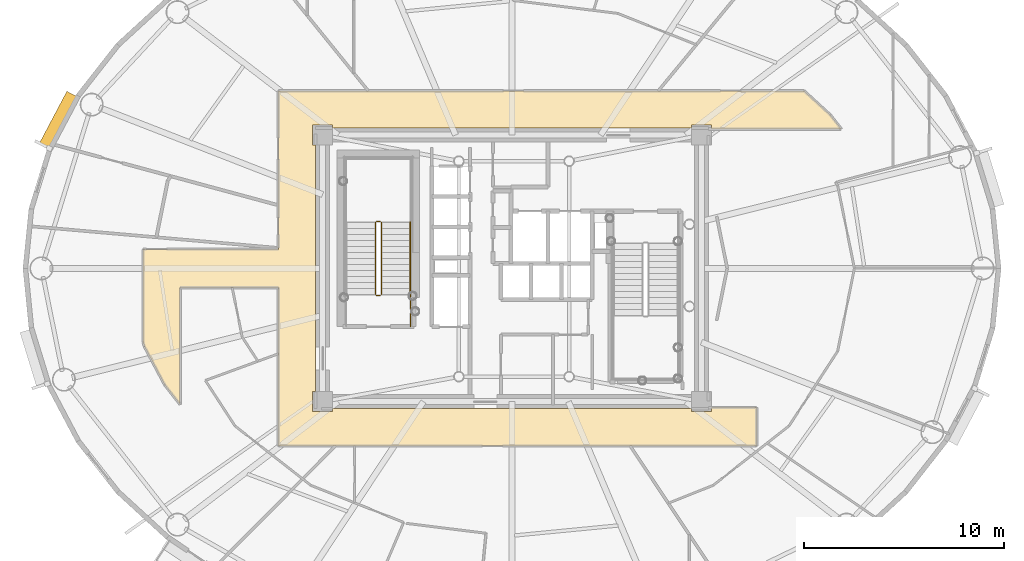
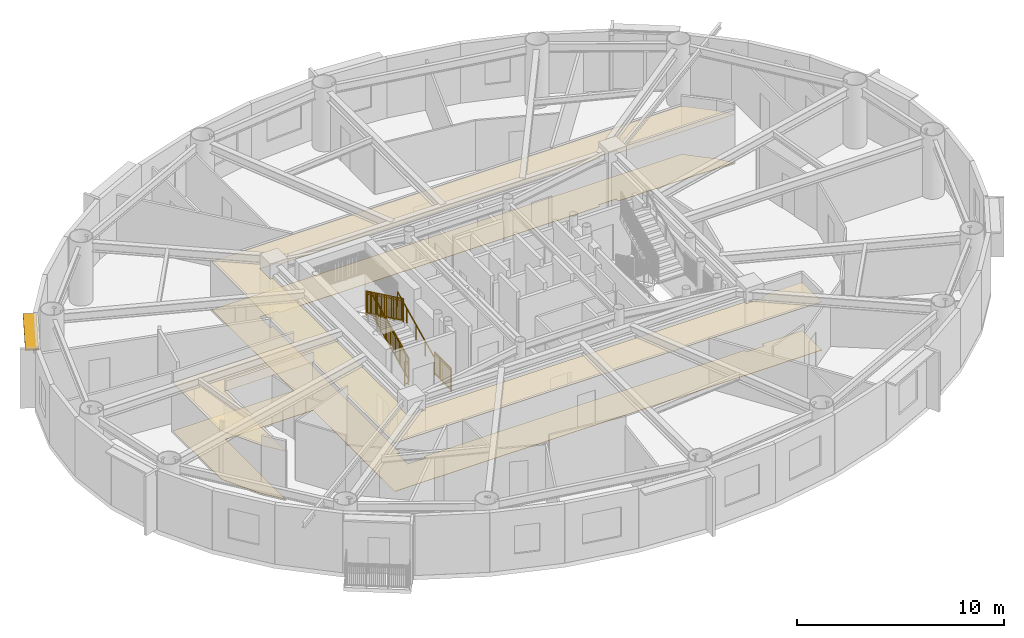
# One storey, part 14 of 18: 6 railings, 2 coverings, 1 shading device.
"""IFC4 building model written with IfcOpenShell, lengths in metres."""

import ifcopenshell
import ifcopenshell.guid

model = None  # the IFC model being written
_history = None  # IfcOwnerHistory: only IFC2X3 demands one
_inside = {}  # id of a spatial element -> (the spatial element, [elements in it])
_under = {}  # id of a project, library or spatial element -> (it, [spatial elements below it])
_declared = {}  # id of a project -> (the project, [libraries it declares])
_typed = {}  # id of a type object -> (the type object, [elements of that type])
_made_of = {}  # id of a material, layer set ... -> (it, [elements and type objects made of it])


def new_model(schema):
    """Start an empty IFC model of exactly this schema.

    Asked for "IFC4X3", IfcOpenShell would pick the latest addendum, in which some entities
    have other attributes; the version numbers below select the first issue.
    IFC2X3 requires an IfcOwnerHistory on every rooted entity: one is made here for all.
    """
    global model, _history
    if schema == "IFC4X3":
        model = ifcopenshell.file(schema_version=(4, 3, 0, 0))
    else:
        model = ifcopenshell.file(schema=schema)
    _inside.clear()
    _under.clear()
    _declared.clear()
    _typed.clear()
    _made_of.clear()
    _history = None
    if model.schema == "IFC2X3":
        org = make("IfcOrganization", Name="unknown")
        user = make(
            "IfcPersonAndOrganization",
            ThePerson=make("IfcPerson", FamilyName="unknown"),
            TheOrganization=org,
        )
        app = make(
            "IfcApplication",
            ApplicationDeveloper=org,
            Version="unknown",
            ApplicationFullName="unknown",
            ApplicationIdentifier="unknown",
        )
        _history = make(
            "IfcOwnerHistory",
            OwningUser=user,
            OwningApplication=app,
            ChangeAction="ADDED",
            CreationDate=0,
        )
    return model


def make(cls, **values):
    """One entity of the class cls with the attributes given. An attribute that is None is left unset."""
    return model.create_entity(
        cls, **{name: value for name, value in values.items() if value is not None}
    )


def rooted(cls, **values):
    """An entity with a GlobalId (a new one), such as an element, a storey or a relation."""
    return make(cls, GlobalId=ifcopenshell.guid.new(), OwnerHistory=_history, **values)


def si_unit(unit_type, name, prefix=None):
    """IfcSIUnit, for example si_unit("LENGTHUNIT", "METRE", prefix="MILLI")."""
    return make("IfcSIUnit", UnitType=unit_type, Prefix=prefix, Name=name)


def assignment(units):
    """IfcUnitAssignment: the units of a project."""
    return None if units is None else make("IfcUnitAssignment", Units=units)


def point(xyz):
    """IfcCartesianPoint."""
    return None if xyz is None else make("IfcCartesianPoint", Coordinates=xyz)


def direction(xyz):
    """IfcDirection."""
    return None if xyz is None else make("IfcDirection", DirectionRatios=xyz)


def frame(location, z_axis=None, x_axis=None):
    """IfcAxis2Placement3D, a coordinate frame: its origin and axes. An axis left out is left unset."""
    return make(
        "IfcAxis2Placement3D",
        Location=point(location),
        Axis=direction(z_axis),
        RefDirection=direction(x_axis),
    )


def frame_2d(location, x_axis=None):
    """IfcAxis2Placement2D, a coordinate frame in the plane: its origin and x axis."""
    return make(
        "IfcAxis2Placement2D", Location=point(location), RefDirection=direction(x_axis)
    )


def origin():
    """The frame at (0, 0, 0) with its axes left unset."""
    return frame((0.0, 0.0, 0.0))


def origin_2d():
    """The frame at (0, 0) in the plane with its x axis left unset."""
    return frame_2d((0.0, 0.0))


def place(relative_to, where):
    """IfcLocalPlacement: puts the frame where relative to a parent placement (None: the world)."""
    return make(
        "IfcLocalPlacement", PlacementRelTo=relative_to, RelativePlacement=where
    )


def context(
    kind, dimensions, precision=None, world=None, true_north=None, identifier=None
):
    """IfcGeometricRepresentationContext, for example the 3D "Model" context."""
    return make(
        "IfcGeometricRepresentationContext",
        ContextIdentifier=identifier,
        ContextType=kind,
        CoordinateSpaceDimension=dimensions,
        Precision=precision,
        WorldCoordinateSystem=world,
        TrueNorth=true_north,
    )


def subcontext(parent, identifier, kind, view, scale=None):
    """IfcGeometricRepresentationSubContext, for example "Body" below "Model"."""
    return make(
        "IfcGeometricRepresentationSubContext",
        ContextIdentifier=identifier,
        ContextType=kind,
        ParentContext=parent,
        TargetScale=scale,
        TargetView=view,
    )


def project(units=None, contexts=None):
    """IfcProject with its units and contexts."""
    return rooted(
        "IfcProject",
        Name="project",
        RepresentationContexts=contexts,
        UnitsInContext=assignment(units),
    )


def spatial(cls, under=None, at=None, **own):
    """A site, building, storey or space (cls), placed at a placement, below another one or the project."""
    s = rooted(cls, ObjectPlacement=at, **own)
    if under is not None:
        _under.setdefault(under.id(), (under, []))[1].append(s)
    return s


def polyline(points):
    """IfcPolyline through the points."""
    return make("IfcPolyline", Points=[point(p) for p in points])


def profile(cls, at=None, kind="AREA", **sizes):
    """A parametric profile (cls). Its sizes go by their IFC names, for example OverallWidth=200.0."""
    return make(cls, ProfileType=kind, Position=at, **sizes)


def rectangle(**sizes):
    """IfcRectangleProfileDef."""
    return profile("IfcRectangleProfileDef", **sizes)


def outline(outer, holes=None, kind="AREA"):
    """IfcArbitraryClosedProfileDef: a profile drawn as a closed curve; with holes, ...WithVoids."""
    if holes is None:
        return make("IfcArbitraryClosedProfileDef", ProfileType=kind, OuterCurve=outer)
    return make(
        "IfcArbitraryProfileDefWithVoids",
        ProfileType=kind,
        OuterCurve=outer,
        InnerCurves=holes,
    )


def extrude(swept, where, along, depth):
    """IfcExtrudedAreaSolid: the profile swept, set in the frame where, extruded along a direction by depth."""
    return make(
        "IfcExtrudedAreaSolid",
        SweptArea=swept,
        Position=where,
        ExtrudedDirection=direction(along),
        Depth=depth,
    )


def shape(context_of_items, identifier, shape_type, items):
    """IfcShapeRepresentation: the items that make up one representation, for example the "Body"."""
    return make(
        "IfcShapeRepresentation",
        ContextOfItems=context_of_items,
        RepresentationIdentifier=identifier,
        RepresentationType=shape_type,
        Items=items,
    )


def source(mapping_origin, context_of_items, identifier, shape_type, items):
    """IfcRepresentationMap: a shape defined once, which mapped items show again and again."""
    return make(
        "IfcRepresentationMap",
        MappingOrigin=mapping_origin,
        MappedRepresentation=shape(context_of_items, identifier, shape_type, items),
    )


def transform(
    local_origin,
    x_axis=None,
    y_axis=None,
    z_axis=None,
    scale=None,
    scale2=None,
    scale3=None,
    uniform=True,
):
    """IfcCartesianTransformationOperator3D, or its non-uniform kind. x_axis, y_axis, z_axis: its Axis1, 2, 3."""
    if uniform:
        return make(
            "IfcCartesianTransformationOperator3D",
            Axis1=direction(x_axis),
            Axis2=direction(y_axis),
            LocalOrigin=point(local_origin),
            Scale=scale,
            Axis3=direction(z_axis),
        )
    return make(
        "IfcCartesianTransformationOperator3DnonUniform",
        Axis1=direction(x_axis),
        Axis2=direction(y_axis),
        LocalOrigin=point(local_origin),
        Scale=scale,
        Axis3=direction(z_axis),
        Scale2=scale2,
        Scale3=scale3,
    )


def mapped(mapping_source, mapping_target):
    """IfcMappedItem: shows the shape of a source again, moved by a transform."""
    return make(
        "IfcMappedItem", MappingSource=mapping_source, MappingTarget=mapping_target
    )


def material(Name=None, Category=None):
    """IfcMaterial."""
    return make("IfcMaterial", Name=Name, Category=Category)


def layer(
    of_material, thickness, ventilated=None, Name=None, Category=None, Priority=None
):
    """IfcMaterialLayer: one layer of a wall or slab, of a material (None: an air gap)."""
    return make(
        "IfcMaterialLayer",
        Material=of_material,
        LayerThickness=thickness,
        IsVentilated=ventilated,
        Name=Name,
        Category=Category,
        Priority=Priority,
    )


def layer_set(layers, Name=None):
    """IfcMaterialLayerSet."""
    return make("IfcMaterialLayerSet", MaterialLayers=layers, LayerSetName=Name)


def made_of(thing, what):
    """Note that an element or type object is made of a material, layer set ...; save() writes the relation."""
    if what is not None:
        _made_of.setdefault(what.id(), (what, []))[1].append(thing)
    return thing


def type_object(cls, material=None, **own):
    """A type object (cls), such as IfcWallType, which elements share."""
    return made_of(rooted(cls, **own), material)


def element(
    cls,
    number,
    at=None,
    inside=None,
    cuts=None,
    type_object=None,
    material=None,
    context=None,
    identifier="Body",
    shape_type=None,
    held_by="IfcProductDefinitionShape",
    body=None,
    shapes=None,
    **own,
):
    """One element of the class cls, such as IfcWall. Its Tag is "e" and its number.

    at: its placement. inside: the storey or other place that contains it. cuts: it is an
    opening in that element (IfcRelVoidsElement). A single representation is given by context,
    identifier, shape_type and body (its items); several are given by shapes. held_by: the class
    of the entity that holds the representations. save() writes the other relations.
    """
    e = rooted(cls, Tag="e%d" % number, ObjectPlacement=at, **own)
    if body is not None:
        shapes = [shape(context, identifier, shape_type, body)]
    if shapes is not None:
        e.Representation = make(held_by, Representations=shapes)
    if inside is not None:
        _inside.setdefault(inside.id(), (inside, []))[1].append(e)
    if cuts is not None:
        rooted(
            "IfcRelVoidsElement", RelatingBuildingElement=cuts, RelatedOpeningElement=e
        )
    if type_object is not None:
        _typed.setdefault(type_object.id(), (type_object, []))[1].append(e)
    return made_of(e, material)


def aggregate(whole, parts):
    """IfcRelAggregates: a whole, such as a stair, and the parts it consists of."""
    return rooted("IfcRelAggregates", RelatingObject=whole, RelatedObjects=parts)


def save(model, path):
    """Write the relations noted so far, then the file.

    IfcRelAggregates (storeys below a building ...), IfcRelContainedInSpatialStructure (elements
    in a storey), IfcRelDefinesByType, IfcRelAssociatesMaterial and IfcRelDeclares: one each for
    every whole, place, type object, material and project.
    """
    for whole, parts in _under.values():
        aggregate(whole, parts)
    for where, things in _inside.values():
        rooted(
            "IfcRelContainedInSpatialStructure",
            RelatedElements=things,
            RelatingStructure=where,
        )
    for kind, things in _typed.values():
        rooted("IfcRelDefinesByType", RelatedObjects=things, RelatingType=kind)
    for what, things in _made_of.values():
        rooted("IfcRelAssociatesMaterial", RelatedObjects=things, RelatingMaterial=what)
    for by, libraries in _declared.values():
        rooted("IfcRelDeclares", RelatingContext=by, RelatedDefinitions=libraries)
    model.write(path)


model = new_model("IFC4")

# Units and contexts
model_context = context("Model", 3, precision=1e-05, world=origin(), true_north=direction((0.0, 1.0)))
body_context = subcontext(model_context, "Body", "Model", "MODEL_VIEW")
ifc_project = project(units=[si_unit("LENGTHUNIT", "METRE"), si_unit("AREAUNIT", "SQUARE_METRE"), si_unit("VOLUMEUNIT", "CUBIC_METRE"), si_unit("PLANEANGLEUNIT", "RADIAN"), si_unit("MASSUNIT", "GRAM", prefix="KILO")], contexts=[model_context])

# Site, building, storey
site_placement = place(None, origin())
site = spatial("IfcSite", under=ifc_project, at=site_placement, CompositionType="ELEMENT")
building_placement = place(site_placement, origin())
building = spatial("IfcBuilding", under=site, at=building_placement, Name="Linh Dai School and Residence Tower", CompositionType="ELEMENT")
storey_placement = place(building_placement, frame((0.0, 0.0, 244.050048828125)))
storey = spatial("IfcBuildingStorey", under=building, at=storey_placement, Name="L60", CompositionType="ELEMENT", Elevation=244.050048828125)

# Coverings
ifc_material_1 = material(Name="Mineral Fibre Acoustic Suspended Ceiling", Category="masonry")
ifc_layer_1 = layer(ifc_material_1, 0.02001953125)
ifc_layer_set_1 = layer_set([ifc_layer_1], Name="Mineral Fibre Acoustic Suspended Ceiling")
covering_type_1 = type_object("IfcCoveringType", Name="COV-CEIL-AC-20", PredefinedType="CEILING", material=ifc_layer_set_1)
covering_1_placement = place(storey_placement, frame((0.0, 0.0, 2.849853515625)))
element("IfcCovering", 1, at=covering_1_placement, inside=storey, type_object=covering_type_1, Name="L60 Residential Floor Corridor Suspended Ceiling", PredefinedType="CEILING", context=body_context, shape_type="SweptSolid", body=[
    extrude(outline(polyline([(19.449951171875, 20.211181640625), (18.6806640625, 21.1943359375), (17.66650390625, 23.111083984375), (17.60009765625, 23.327880859375), (17.60009765625, 27.949951171875), (24.35009765625, 27.949951171875), (24.35009765625, 35.85009765625), (50.56787109375, 35.85009765625), (51.873779296875, 34.65283203125), (52.423828125, 33.949951171875), (45.949951171875, 33.949951171875), (45.949951171875, 34.14990234375), (44.949951171875, 34.14990234375), (44.949951171875, 34.0), (27.050048828125, 34.0), (27.050048828125, 34.14990234375), (26.050048828125, 34.14990234375), (26.050048828125, 33.14990234375), (26.199951171875, 33.14990234375), (26.199951171875, 20.85009765625), (26.050048828125, 20.85009765625), (26.050048828125, 19.85009765625), (27.050048828125, 19.85009765625), (27.050048828125, 20.0), (44.949951171875, 20.0), (44.949951171875, 19.85009765625), (45.949951171875, 19.85009765625), (45.949951171875, 20.050048828125), (48.199951171875, 20.050048828125), (48.199951171875, 18.14990234375), (24.35009765625, 18.14990234375), (24.35009765625, 26.050048828125), (19.449951171875, 26.050048828125), (19.449951171875, 20.211181640625)])), origin(), (0.0, 0.0, 1.0), 0.02001953125),
])
ifc_material_2 = material(Name="Polished Terrazzo Floor Finish", Category="masonry")
ifc_layer_2 = layer(ifc_material_2, 0.02490234375)
ifc_layer_set_2 = layer_set([ifc_layer_2], Name="Polished Terrazzo Floor Finish")
covering_type_2 = type_object("IfcCoveringType", Name="COV-FLR-TRZ-25", PredefinedType="FLOORING", material=ifc_layer_set_2)
covering_2_placement = place(storey_placement, origin())
element("IfcCovering", 2, at=covering_2_placement, inside=storey, type_object=covering_type_2, Name="L60 Residential Floor Corridor Floor Finish", PredefinedType="FLOORING", context=body_context, shape_type="SweptSolid", body=[
    extrude(outline(polyline([(19.449951171875, 20.211181640625), (18.6806640625, 21.1943359375), (17.66650390625, 23.111083984375), (17.60009765625, 23.327880859375), (17.60009765625, 27.949951171875), (24.35009765625, 27.949951171875), (24.35009765625, 35.85009765625), (50.56787109375, 35.85009765625), (51.873779296875, 34.65283203125), (52.423828125, 33.949951171875), (45.949951171875, 33.949951171875), (45.949951171875, 34.14990234375), (44.949951171875, 34.14990234375), (44.949951171875, 34.0), (27.050048828125, 34.0), (27.050048828125, 34.14990234375), (26.050048828125, 34.14990234375), (26.050048828125, 33.14990234375), (26.199951171875, 33.14990234375), (26.199951171875, 20.85009765625), (26.050048828125, 20.85009765625), (26.050048828125, 19.85009765625), (27.050048828125, 19.85009765625), (27.050048828125, 20.0), (44.949951171875, 20.0), (44.949951171875, 19.85009765625), (45.949951171875, 19.85009765625), (45.949951171875, 20.050048828125), (48.199951171875, 20.050048828125), (48.199951171875, 18.14990234375), (24.35009765625, 18.14990234375), (24.35009765625, 26.050048828125), (19.449951171875, 26.050048828125), (19.449951171875, 20.211181640625)])), origin(), (0.0, 0.0, 1.0), 0.02001953125),
])

# Shading device
ifc_material_3 = material(Name="Terracotta Ceramic Sunshade", Category="masonry")
ifc_layer_3 = layer(ifc_material_3, 0.10009765625)
ifc_layer_set_3 = layer_set([ifc_layer_3], Name="Terracotta Ceramic Sunshade")
shading_device_type = type_object("IfcShadingDeviceType", Name="SHD-TC-650", PredefinedType="USERDEFINED", material=ifc_layer_set_3)
shared_shape_1 = source(origin(), body_context, "Body", "SweptSolid", [
    extrude(rectangle(XDim=2.986083984375, YDim=0.64990234375, at=origin_2d()), origin(), (0.0, 0.0, 1.0), 0.10009765625),
])
shading_device_placement = place(storey_placement, frame((13.385009765625, 34.36376953125, 3.3798828125), z_axis=(0.0, 0.0, 1.0), x_axis=(0.467621224891, 0.883928950783, 0.0)))
element("IfcShadingDevice", 3, at=shading_device_placement, inside=storey, type_object=shading_device_type, Name="L60 Terracotta Horizontal Sunshade Band 18", ObjectType="SUNSHADE", PredefinedType="USERDEFINED", context=body_context, shape_type="MappedRepresentation", body=[
    mapped(shared_shape_1, transform((0.0, 0.0, 0.0), x_axis=(1.0, 0.0, 0.0), y_axis=(0.0, 1.0, 0.0), z_axis=(0.0, 0.0, 1.0), scale=1.0)),
])

# Railings
ifc_material_4 = material(Name="Structural Steel S355JR", Category="steel")
railing_type_1 = type_object("IfcRailingType", Name="RL-ST-GUARD-1400", PredefinedType="GUARDRAIL", material=ifc_material_4)
shared_shape_2 = source(origin(), body_context, "Body", "SweptSolid", [
    extrude(rectangle(XDim=0.048095703125, YDim=0.048095703125, at=origin_2d()), frame((0.0, 0.0, 1.3759765625), z_axis=(-1.0, 0.0, 0.0), x_axis=(0.0, -1.0, 0.0)), (0.0, 0.0, 1.0), 0.199951171875),
    extrude(rectangle(XDim=0.048095703125, YDim=0.048095703125, at=origin_2d()), frame((0.0, 0.0, 0.10009765625), z_axis=(-1.0, 0.0, 0.0), x_axis=(0.0, -1.0, 0.0)), (0.0, 0.0, 1.0), 0.199951171875),
    extrude(rectangle(XDim=0.030029296875, YDim=0.030029296875, at=origin_2d()), frame((0.0, 0.0, 1.239990234375), z_axis=(-1.0, 0.0, 0.0), x_axis=(0.0, -1.0, 0.0)), (0.0, 0.0, 1.0), 0.199951171875),
    extrude(rectangle(XDim=0.0419921875, YDim=0.0419921875, at=origin_2d()), origin(), (0.0, 0.0, 1.0), 1.3759765625),
    extrude(rectangle(XDim=0.0419921875, YDim=0.0419921875, at=origin_2d()), frame((-0.199951171875, 0.0, 0.0)), (0.0, 0.0, 1.0), 1.3759765625),
])
for number, where, name in (
    (4, (29.429931640625, 29.35009765625, 1.875), "L60 ST1 stair guard 2"),
    (5, (29.429931640625, 25.64990234375, 0.0), "L60 ST1 stair guard 7"),
):
    element("IfcRailing", number, at=place(storey_placement, frame(where)), inside=storey, type_object=railing_type_1, Name=name, PredefinedType="GUARDRAIL", context=body_context, shape_type="MappedRepresentation", body=[
        mapped(shared_shape_2, transform((0.0, 0.0, 0.0), x_axis=(1.0, 0.0, 0.0), y_axis=(0.0, 1.0, 0.0), z_axis=(0.0, 0.0, 1.0), scale=1.0)),
    ])
shared_shape_3 = source(origin(), body_context, "Body", "SweptSolid", [
    extrude(rectangle(XDim=0.048095703125, YDim=0.048095703125, at=origin_2d()), frame((0.0, 0.0, 1.3759765625), z_axis=(0.0, 1.0, 0.0), x_axis=(-1.0, 0.0, 0.0)), (0.0, 0.0, 1.0), 1.599853515625),
    extrude(rectangle(XDim=0.048095703125, YDim=0.048095703125, at=origin_2d()), frame((0.0, 0.0, 0.10009765625), z_axis=(0.0, 1.0, 0.0), x_axis=(-1.0, 0.0, 0.0)), (0.0, 0.0, 1.0), 1.599853515625),
    extrude(rectangle(XDim=0.030029296875, YDim=0.030029296875, at=origin_2d()), frame((0.0, 0.0, 1.239990234375), z_axis=(0.0, 1.0, 0.0), x_axis=(-1.0, 0.0, 0.0)), (0.0, 0.0, 1.0), 1.599853515625),
    extrude(rectangle(XDim=0.02001953125, YDim=0.02001953125, at=origin_2d()), frame((0.0, 0.093994140625, 0.10009765625)), (0.0, 0.0, 1.0), 1.251708984375),
    extrude(rectangle(XDim=0.02001953125, YDim=0.02001953125, at=origin_2d()), frame((0.0, 0.188232421875, 0.10009765625)), (0.0, 0.0, 1.0), 1.251708984375),
    extrude(rectangle(XDim=0.02001953125, YDim=0.02001953125, at=origin_2d()), frame((0.0, 0.2822265625, 0.10009765625)), (0.0, 0.0, 1.0), 1.251708984375),
    extrude(rectangle(XDim=0.02001953125, YDim=0.02001953125, at=origin_2d()), frame((0.0, 0.37646484375, 0.10009765625)), (0.0, 0.0, 1.0), 1.251708984375),
    extrude(rectangle(XDim=0.02001953125, YDim=0.02001953125, at=origin_2d()), frame((0.0, 0.470458984375, 0.10009765625)), (0.0, 0.0, 1.0), 1.251708984375),
    extrude(rectangle(XDim=0.02001953125, YDim=0.02001953125, at=origin_2d()), frame((0.0, 0.564697265625, 0.10009765625)), (0.0, 0.0, 1.0), 1.251708984375),
    extrude(rectangle(XDim=0.02001953125, YDim=0.02001953125, at=origin_2d()), frame((0.0, 0.65869140625, 0.10009765625)), (0.0, 0.0, 1.0), 1.251708984375),
    extrude(rectangle(XDim=0.02001953125, YDim=0.02001953125, at=origin_2d()), frame((0.0, 0.7529296875, 0.10009765625)), (0.0, 0.0, 1.0), 1.251708984375),
    extrude(rectangle(XDim=0.02001953125, YDim=0.02001953125, at=origin_2d()), frame((0.0, 0.846923828125, 0.10009765625)), (0.0, 0.0, 1.0), 1.251708984375),
    extrude(rectangle(XDim=0.02001953125, YDim=0.02001953125, at=origin_2d()), frame((0.0, 0.941162109375, 0.10009765625)), (0.0, 0.0, 1.0), 1.251708984375),
    extrude(rectangle(XDim=0.02001953125, YDim=0.02001953125, at=origin_2d()), frame((0.0, 1.03515625, 0.10009765625)), (0.0, 0.0, 1.0), 1.251708984375),
    extrude(rectangle(XDim=0.02001953125, YDim=0.02001953125, at=origin_2d()), frame((0.0, 1.12939453125, 0.10009765625)), (0.0, 0.0, 1.0), 1.251708984375),
    extrude(rectangle(XDim=0.02001953125, YDim=0.02001953125, at=origin_2d()), frame((0.0, 1.223388671875, 0.10009765625)), (0.0, 0.0, 1.0), 1.251708984375),
    extrude(rectangle(XDim=0.02001953125, YDim=0.02001953125, at=origin_2d()), frame((0.0, 1.317626953125, 0.10009765625)), (0.0, 0.0, 1.0), 1.251708984375),
    extrude(rectangle(XDim=0.02001953125, YDim=0.02001953125, at=origin_2d()), frame((0.0, 1.41162109375, 0.10009765625)), (0.0, 0.0, 1.0), 1.251708984375),
    extrude(rectangle(XDim=0.02001953125, YDim=0.02001953125, at=origin_2d()), frame((0.0, 1.505859375, 0.10009765625)), (0.0, 0.0, 1.0), 1.251708984375),
    extrude(rectangle(XDim=0.0419921875, YDim=0.0419921875, at=origin_2d()), origin(), (0.0, 0.0, 1.0), 1.3759765625),
    extrude(rectangle(XDim=0.0419921875, YDim=0.0419921875, at=origin_2d()), frame((0.0, 0.7998046875, 0.0)), (0.0, 0.0, 1.0), 1.3759765625),
    extrude(rectangle(XDim=0.0419921875, YDim=0.0419921875, at=origin_2d()), frame((0.0, 1.599853515625, 0.0)), (0.0, 0.0, 1.0), 1.3759765625),
])
railing_1_placement = place(storey_placement, frame((30.929931640625, 24.10009765625, 0.0)))
element("IfcRailing", 6, at=railing_1_placement, inside=storey, type_object=railing_type_1, Name="L60 ST1 stair guard 8", PredefinedType="GUARDRAIL", context=body_context, shape_type="MappedRepresentation", body=[
    mapped(shared_shape_3, transform((0.0, 0.0, 0.0), x_axis=(1.0, 0.0, 0.0), y_axis=(0.0, 1.0, 0.0), z_axis=(0.0, 0.0, 1.0), scale=1.0)),
])
shared_shape_4 = source(origin(), body_context, "Body", "SweptSolid", [
    extrude(rectangle(XDim=0.048095703125, YDim=0.048095703125, at=origin_2d()), frame((0.0, 0.0, 1.3759765625), z_axis=(0.0, 0.901262522062, 0.433273431364), x_axis=(-1.0, 0.0, 0.0)), (0.0, 0.0, 1.0), 3.994384765625),
    extrude(rectangle(XDim=0.048095703125, YDim=0.048095703125, at=origin_2d()), frame((0.0, 0.0, 0.10009765625), z_axis=(0.0, 0.901262522062, 0.433273431364), x_axis=(-1.0, 0.0, 0.0)), (0.0, 0.0, 1.0), 3.994384765625),
    extrude(rectangle(XDim=0.030029296875, YDim=0.030029296875, at=origin_2d()), frame((0.0, 0.0, 1.239990234375), z_axis=(0.0, 0.901262522062, 0.433273431364), x_axis=(-1.0, 0.0, 0.0)), (0.0, 0.0, 1.0), 3.994384765625),
    extrude(rectangle(XDim=0.02001953125, YDim=0.02001953125, at=origin_2d()), frame((0.0, 0.087890625, 0.142333984375)), (0.0, 0.0, 1.0), 1.251708984375),
    extrude(rectangle(XDim=0.02001953125, YDim=0.02001953125, at=origin_2d()), frame((0.0, 0.175537109375, 0.1845703125)), (0.0, 0.0, 1.0), 1.251708984375),
    extrude(rectangle(XDim=0.02001953125, YDim=0.02001953125, at=origin_2d()), frame((0.0, 0.263427734375, 0.226806640625)), (0.0, 0.0, 1.0), 1.251708984375),
    extrude(rectangle(XDim=0.02001953125, YDim=0.02001953125, at=origin_2d()), frame((0.0, 0.351318359375, 0.26904296875)), (0.0, 0.0, 1.0), 1.251708984375),
    extrude(rectangle(XDim=0.02001953125, YDim=0.02001953125, at=origin_2d()), frame((0.0, 0.43896484375, 0.311279296875)), (0.0, 0.0, 1.0), 1.251708984375),
    extrude(rectangle(XDim=0.02001953125, YDim=0.02001953125, at=origin_2d()), frame((0.0, 0.52685546875, 0.353271484375)), (0.0, 0.0, 1.0), 1.251708984375),
    extrude(rectangle(XDim=0.02001953125, YDim=0.02001953125, at=origin_2d()), frame((0.0, 0.61474609375, 0.3955078125)), (0.0, 0.0, 1.0), 1.251708984375),
    extrude(rectangle(XDim=0.02001953125, YDim=0.02001953125, at=origin_2d()), frame((0.0, 0.702392578125, 0.437744140625)), (0.0, 0.0, 1.0), 1.251708984375),
    extrude(rectangle(XDim=0.02001953125, YDim=0.02001953125, at=origin_2d()), frame((0.0, 0.790283203125, 0.47998046875)), (0.0, 0.0, 1.0), 1.251708984375),
    extrude(rectangle(XDim=0.02001953125, YDim=0.02001953125, at=origin_2d()), frame((0.0, 0.9658203125, 0.564453125)), (0.0, 0.0, 1.0), 1.251708984375),
    extrude(rectangle(XDim=0.02001953125, YDim=0.02001953125, at=origin_2d()), frame((0.0, 1.0537109375, 0.606689453125)), (0.0, 0.0, 1.0), 1.251708984375),
    extrude(rectangle(XDim=0.02001953125, YDim=0.02001953125, at=origin_2d()), frame((0.0, 1.1416015625, 0.64892578125)), (0.0, 0.0, 1.0), 1.251708984375),
    extrude(rectangle(XDim=0.02001953125, YDim=0.02001953125, at=origin_2d()), frame((0.0, 1.229248046875, 0.691162109375)), (0.0, 0.0, 1.0), 1.251708984375),
    extrude(rectangle(XDim=0.02001953125, YDim=0.02001953125, at=origin_2d()), frame((0.0, 1.317138671875, 0.7333984375)), (0.0, 0.0, 1.0), 1.251708984375),
    extrude(rectangle(XDim=0.02001953125, YDim=0.02001953125, at=origin_2d()), frame((0.0, 1.405029296875, 0.775390625)), (0.0, 0.0, 1.0), 1.251708984375),
    extrude(rectangle(XDim=0.02001953125, YDim=0.02001953125, at=origin_2d()), frame((0.0, 1.49267578125, 0.817626953125)), (0.0, 0.0, 1.0), 1.251708984375),
    extrude(rectangle(XDim=0.02001953125, YDim=0.02001953125, at=origin_2d()), frame((0.0, 1.58056640625, 0.85986328125)), (0.0, 0.0, 1.0), 1.251708984375),
    extrude(rectangle(XDim=0.02001953125, YDim=0.02001953125, at=origin_2d()), frame((0.0, 1.66845703125, 0.902099609375)), (0.0, 0.0, 1.0), 1.251708984375),
    extrude(rectangle(XDim=0.02001953125, YDim=0.02001953125, at=origin_2d()), frame((0.0, 1.756103515625, 0.9443359375)), (0.0, 0.0, 1.0), 1.251708984375),
    extrude(rectangle(XDim=0.02001953125, YDim=0.02001953125, at=origin_2d()), frame((0.0, 1.843994140625, 0.986572265625)), (0.0, 0.0, 1.0), 1.251708984375),
    extrude(rectangle(XDim=0.02001953125, YDim=0.02001953125, at=origin_2d()), frame((0.0, 1.931640625, 1.02880859375)), (0.0, 0.0, 1.0), 1.251708984375),
    extrude(rectangle(XDim=0.02001953125, YDim=0.02001953125, at=origin_2d()), frame((0.0, 2.01953125, 1.071044921875)), (0.0, 0.0, 1.0), 1.251708984375),
    extrude(rectangle(XDim=0.02001953125, YDim=0.02001953125, at=origin_2d()), frame((0.0, 2.107421875, 1.11328125)), (0.0, 0.0, 1.0), 1.251708984375),
    extrude(rectangle(XDim=0.02001953125, YDim=0.02001953125, at=origin_2d()), frame((0.0, 2.195068359375, 1.155517578125)), (0.0, 0.0, 1.0), 1.251708984375),
    extrude(rectangle(XDim=0.02001953125, YDim=0.02001953125, at=origin_2d()), frame((0.0, 2.282958984375, 1.197509765625)), (0.0, 0.0, 1.0), 1.251708984375),
    extrude(rectangle(XDim=0.02001953125, YDim=0.02001953125, at=origin_2d()), frame((0.0, 2.370849609375, 1.23974609375)), (0.0, 0.0, 1.0), 1.251708984375),
    extrude(rectangle(XDim=0.02001953125, YDim=0.02001953125, at=origin_2d()), frame((0.0, 2.45849609375, 1.281982421875)), (0.0, 0.0, 1.0), 1.251708984375),
    extrude(rectangle(XDim=0.02001953125, YDim=0.02001953125, at=origin_2d()), frame((0.0, 2.54638671875, 1.32421875)), (0.0, 0.0, 1.0), 1.251708984375),
    extrude(rectangle(XDim=0.02001953125, YDim=0.02001953125, at=origin_2d()), frame((0.0, 2.63427734375, 1.366455078125)), (0.0, 0.0, 1.0), 1.251708984375),
    extrude(rectangle(XDim=0.02001953125, YDim=0.02001953125, at=origin_2d()), frame((0.0, 2.809814453125, 1.450927734375)), (0.0, 0.0, 1.0), 1.251708984375),
    extrude(rectangle(XDim=0.02001953125, YDim=0.02001953125, at=origin_2d()), frame((0.0, 2.897705078125, 1.4931640625)), (0.0, 0.0, 1.0), 1.251708984375),
    extrude(rectangle(XDim=0.02001953125, YDim=0.02001953125, at=origin_2d()), frame((0.0, 2.9853515625, 1.535400390625)), (0.0, 0.0, 1.0), 1.251708984375),
    extrude(rectangle(XDim=0.02001953125, YDim=0.02001953125, at=origin_2d()), frame((0.0, 3.0732421875, 1.57763671875)), (0.0, 0.0, 1.0), 1.251708984375),
    extrude(rectangle(XDim=0.02001953125, YDim=0.02001953125, at=origin_2d()), frame((0.0, 3.1611328125, 1.61962890625)), (0.0, 0.0, 1.0), 1.251708984375),
    extrude(rectangle(XDim=0.02001953125, YDim=0.02001953125, at=origin_2d()), frame((0.0, 3.248779296875, 1.661865234375)), (0.0, 0.0, 1.0), 1.251708984375),
    extrude(rectangle(XDim=0.02001953125, YDim=0.02001953125, at=origin_2d()), frame((0.0, 3.336669921875, 1.7041015625)), (0.0, 0.0, 1.0), 1.251708984375),
    extrude(rectangle(XDim=0.02001953125, YDim=0.02001953125, at=origin_2d()), frame((0.0, 3.424560546875, 1.746337890625)), (0.0, 0.0, 1.0), 1.251708984375),
    extrude(rectangle(XDim=0.02001953125, YDim=0.02001953125, at=origin_2d()), frame((0.0, 3.51220703125, 1.78857421875)), (0.0, 0.0, 1.0), 1.251708984375),
    extrude(rectangle(XDim=0.0419921875, YDim=0.0419921875, at=origin_2d()), origin(), (0.0, 0.0, 1.0), 1.3759765625),
    extrude(rectangle(XDim=0.0419921875, YDim=0.0419921875, at=origin_2d()), frame((0.0, 0.89990234375, 0.4326171875)), (0.0, 0.0, 1.0), 1.3759765625),
    extrude(rectangle(XDim=0.0419921875, YDim=0.0419921875, at=origin_2d()), frame((0.0, 1.800048828125, 0.865234375)), (0.0, 0.0, 1.0), 1.3759765625),
    extrude(rectangle(XDim=0.0419921875, YDim=0.0419921875, at=origin_2d()), frame((0.0, 2.7001953125, 1.298095703125)), (0.0, 0.0, 1.0), 1.3759765625),
    extrude(rectangle(XDim=0.0419921875, YDim=0.0419921875, at=origin_2d()), frame((0.0, 3.60009765625, 1.730712890625)), (0.0, 0.0, 1.0), 1.3759765625),
])
railing_2_placement = place(storey_placement, frame((29.47998046875, 25.699951171875, 0.144287109375)))
element("IfcRailing", 7, at=railing_2_placement, inside=storey, type_object=railing_type_1, Name="L60 ST1 stair guard 1", PredefinedType="GUARDRAIL", context=body_context, shape_type="MappedRepresentation", body=[
    mapped(shared_shape_4, transform((0.0, 0.0, 0.0), x_axis=(1.0, 0.0, 0.0), y_axis=(0.0, 1.0, 0.0), z_axis=(0.0, 0.0, 1.0), scale=1.0)),
])
shared_shape_5 = source(origin(), body_context, "Body", "SweptSolid", [
    extrude(rectangle(XDim=0.048095703125, YDim=0.048095703125, at=origin_2d()), frame((0.0, 0.0, 1.3759765625), z_axis=(0.0, -0.901262522062, 0.433273431364), x_axis=(1.0, 0.0, 0.0)), (0.0, 0.0, 1.0), 3.994384765625),
    extrude(rectangle(XDim=0.048095703125, YDim=0.048095703125, at=origin_2d()), frame((0.0, 0.0, 0.10009765625), z_axis=(0.0, -0.901262522062, 0.433273431364), x_axis=(1.0, 0.0, 0.0)), (0.0, 0.0, 1.0), 3.994384765625),
    extrude(rectangle(XDim=0.030029296875, YDim=0.030029296875, at=origin_2d()), frame((0.0, 0.0, 1.239990234375), z_axis=(0.0, -0.901262522062, 0.433273431364), x_axis=(1.0, 0.0, 0.0)), (0.0, 0.0, 1.0), 3.994384765625),
    extrude(rectangle(XDim=0.02001953125, YDim=0.02001953125, at=origin_2d()), frame((0.0, -0.087890625, 0.142333984375)), (0.0, 0.0, 1.0), 1.251708984375),
    extrude(rectangle(XDim=0.02001953125, YDim=0.02001953125, at=origin_2d()), frame((0.0, -0.175537109375, 0.1845703125)), (0.0, 0.0, 1.0), 1.251708984375),
    extrude(rectangle(XDim=0.02001953125, YDim=0.02001953125, at=origin_2d()), frame((0.0, -0.263427734375, 0.226806640625)), (0.0, 0.0, 1.0), 1.251708984375),
    extrude(rectangle(XDim=0.02001953125, YDim=0.02001953125, at=origin_2d()), frame((0.0, -0.351318359375, 0.26904296875)), (0.0, 0.0, 1.0), 1.251708984375),
    extrude(rectangle(XDim=0.02001953125, YDim=0.02001953125, at=origin_2d()), frame((0.0, -0.43896484375, 0.311279296875)), (0.0, 0.0, 1.0), 1.251708984375),
    extrude(rectangle(XDim=0.02001953125, YDim=0.02001953125, at=origin_2d()), frame((0.0, -0.52685546875, 0.353271484375)), (0.0, 0.0, 1.0), 1.251708984375),
    extrude(rectangle(XDim=0.02001953125, YDim=0.02001953125, at=origin_2d()), frame((0.0, -0.61474609375, 0.3955078125)), (0.0, 0.0, 1.0), 1.251708984375),
    extrude(rectangle(XDim=0.02001953125, YDim=0.02001953125, at=origin_2d()), frame((0.0, -0.702392578125, 0.437744140625)), (0.0, 0.0, 1.0), 1.251708984375),
    extrude(rectangle(XDim=0.02001953125, YDim=0.02001953125, at=origin_2d()), frame((0.0, -0.790283203125, 0.47998046875)), (0.0, 0.0, 1.0), 1.251708984375),
    extrude(rectangle(XDim=0.02001953125, YDim=0.02001953125, at=origin_2d()), frame((0.0, -0.9658203125, 0.564453125)), (0.0, 0.0, 1.0), 1.251708984375),
    extrude(rectangle(XDim=0.02001953125, YDim=0.02001953125, at=origin_2d()), frame((0.0, -1.0537109375, 0.606689453125)), (0.0, 0.0, 1.0), 1.251708984375),
    extrude(rectangle(XDim=0.02001953125, YDim=0.02001953125, at=origin_2d()), frame((0.0, -1.1416015625, 0.64892578125)), (0.0, 0.0, 1.0), 1.251708984375),
    extrude(rectangle(XDim=0.02001953125, YDim=0.02001953125, at=origin_2d()), frame((0.0, -1.229248046875, 0.691162109375)), (0.0, 0.0, 1.0), 1.251708984375),
    extrude(rectangle(XDim=0.02001953125, YDim=0.02001953125, at=origin_2d()), frame((0.0, -1.317138671875, 0.7333984375)), (0.0, 0.0, 1.0), 1.251708984375),
    extrude(rectangle(XDim=0.02001953125, YDim=0.02001953125, at=origin_2d()), frame((0.0, -1.405029296875, 0.775390625)), (0.0, 0.0, 1.0), 1.251708984375),
    extrude(rectangle(XDim=0.02001953125, YDim=0.02001953125, at=origin_2d()), frame((0.0, -1.49267578125, 0.817626953125)), (0.0, 0.0, 1.0), 1.251708984375),
    extrude(rectangle(XDim=0.02001953125, YDim=0.02001953125, at=origin_2d()), frame((0.0, -1.58056640625, 0.85986328125)), (0.0, 0.0, 1.0), 1.251708984375),
    extrude(rectangle(XDim=0.02001953125, YDim=0.02001953125, at=origin_2d()), frame((0.0, -1.66845703125, 0.902099609375)), (0.0, 0.0, 1.0), 1.251708984375),
    extrude(rectangle(XDim=0.02001953125, YDim=0.02001953125, at=origin_2d()), frame((0.0, -1.756103515625, 0.9443359375)), (0.0, 0.0, 1.0), 1.251708984375),
    extrude(rectangle(XDim=0.02001953125, YDim=0.02001953125, at=origin_2d()), frame((0.0, -1.843994140625, 0.986572265625)), (0.0, 0.0, 1.0), 1.251708984375),
    extrude(rectangle(XDim=0.02001953125, YDim=0.02001953125, at=origin_2d()), frame((0.0, -1.931640625, 1.02880859375)), (0.0, 0.0, 1.0), 1.251708984375),
    extrude(rectangle(XDim=0.02001953125, YDim=0.02001953125, at=origin_2d()), frame((0.0, -2.01953125, 1.071044921875)), (0.0, 0.0, 1.0), 1.251708984375),
    extrude(rectangle(XDim=0.02001953125, YDim=0.02001953125, at=origin_2d()), frame((0.0, -2.107421875, 1.11328125)), (0.0, 0.0, 1.0), 1.251708984375),
    extrude(rectangle(XDim=0.02001953125, YDim=0.02001953125, at=origin_2d()), frame((0.0, -2.195068359375, 1.155517578125)), (0.0, 0.0, 1.0), 1.251708984375),
    extrude(rectangle(XDim=0.02001953125, YDim=0.02001953125, at=origin_2d()), frame((0.0, -2.282958984375, 1.197509765625)), (0.0, 0.0, 1.0), 1.251708984375),
    extrude(rectangle(XDim=0.02001953125, YDim=0.02001953125, at=origin_2d()), frame((0.0, -2.370849609375, 1.23974609375)), (0.0, 0.0, 1.0), 1.251708984375),
    extrude(rectangle(XDim=0.02001953125, YDim=0.02001953125, at=origin_2d()), frame((0.0, -2.45849609375, 1.281982421875)), (0.0, 0.0, 1.0), 1.251708984375),
    extrude(rectangle(XDim=0.02001953125, YDim=0.02001953125, at=origin_2d()), frame((0.0, -2.54638671875, 1.32421875)), (0.0, 0.0, 1.0), 1.251708984375),
    extrude(rectangle(XDim=0.02001953125, YDim=0.02001953125, at=origin_2d()), frame((0.0, -2.63427734375, 1.366455078125)), (0.0, 0.0, 1.0), 1.251708984375),
    extrude(rectangle(XDim=0.02001953125, YDim=0.02001953125, at=origin_2d()), frame((0.0, -2.809814453125, 1.450927734375)), (0.0, 0.0, 1.0), 1.251708984375),
    extrude(rectangle(XDim=0.02001953125, YDim=0.02001953125, at=origin_2d()), frame((0.0, -2.897705078125, 1.4931640625)), (0.0, 0.0, 1.0), 1.251708984375),
    extrude(rectangle(XDim=0.02001953125, YDim=0.02001953125, at=origin_2d()), frame((0.0, -2.9853515625, 1.535400390625)), (0.0, 0.0, 1.0), 1.251708984375),
    extrude(rectangle(XDim=0.02001953125, YDim=0.02001953125, at=origin_2d()), frame((0.0, -3.0732421875, 1.57763671875)), (0.0, 0.0, 1.0), 1.251708984375),
    extrude(rectangle(XDim=0.02001953125, YDim=0.02001953125, at=origin_2d()), frame((0.0, -3.1611328125, 1.61962890625)), (0.0, 0.0, 1.0), 1.251708984375),
    extrude(rectangle(XDim=0.02001953125, YDim=0.02001953125, at=origin_2d()), frame((0.0, -3.248779296875, 1.661865234375)), (0.0, 0.0, 1.0), 1.251708984375),
    extrude(rectangle(XDim=0.02001953125, YDim=0.02001953125, at=origin_2d()), frame((0.0, -3.336669921875, 1.7041015625)), (0.0, 0.0, 1.0), 1.251708984375),
    extrude(rectangle(XDim=0.02001953125, YDim=0.02001953125, at=origin_2d()), frame((0.0, -3.424560546875, 1.746337890625)), (0.0, 0.0, 1.0), 1.251708984375),
    extrude(rectangle(XDim=0.02001953125, YDim=0.02001953125, at=origin_2d()), frame((0.0, -3.51220703125, 1.78857421875)), (0.0, 0.0, 1.0), 1.251708984375),
    extrude(rectangle(XDim=0.0419921875, YDim=0.0419921875, at=origin_2d()), origin(), (0.0, 0.0, 1.0), 1.3759765625),
    extrude(rectangle(XDim=0.0419921875, YDim=0.0419921875, at=origin_2d()), frame((0.0, -0.89990234375, 0.4326171875)), (0.0, 0.0, 1.0), 1.3759765625),
    extrude(rectangle(XDim=0.0419921875, YDim=0.0419921875, at=origin_2d()), frame((0.0, -1.800048828125, 0.865234375)), (0.0, 0.0, 1.0), 1.3759765625),
    extrude(rectangle(XDim=0.0419921875, YDim=0.0419921875, at=origin_2d()), frame((0.0, -2.7001953125, 1.298095703125)), (0.0, 0.0, 1.0), 1.3759765625),
    extrude(rectangle(XDim=0.0419921875, YDim=0.0419921875, at=origin_2d()), frame((0.0, -3.60009765625, 1.730712890625)), (0.0, 0.0, 1.0), 1.3759765625),
])
railing_3_placement = place(storey_placement, frame((29.179931640625, 29.300048828125, 2.019287109375)))
element("IfcRailing", 8, at=railing_3_placement, inside=storey, type_object=railing_type_1, Name="L60 ST1 stair guard 6", PredefinedType="GUARDRAIL", context=body_context, shape_type="MappedRepresentation", body=[
    mapped(shared_shape_5, transform((0.0, 0.0, 0.0), x_axis=(1.0, 0.0, 0.0), y_axis=(0.0, 1.0, 0.0), z_axis=(0.0, 0.0, 1.0), scale=1.0)),
])
ifc_material_5 = material(Name="Brushed Stainless Steel Handrail", Category="steel")
railing_type_2 = type_object("IfcRailingType", Name="RL-ST-HANDRAIL-900", PredefinedType="HANDRAIL", material=ifc_material_5)
shared_shape_6 = source(origin(), body_context, "Body", "SweptSolid", [
    extrude(rectangle(XDim=0.048095703125, YDim=0.048095703125, at=origin_2d()), frame((0.0, 0.0, 0.8759765625), z_axis=(0.0, 0.901262522062, 0.433273431364), x_axis=(-1.0, 0.0, 0.0)), (0.0, 0.0, 1.0), 3.994384765625),
    extrude(rectangle(XDim=0.0419921875, YDim=0.0419921875, at=origin_2d()), origin(), (0.0, 0.0, 1.0), 0.8759765625),
    extrude(rectangle(XDim=0.0419921875, YDim=0.0419921875, at=origin_2d()), frame((0.0, 0.89990234375, 0.4326171875)), (0.0, 0.0, 1.0), 0.8759765625),
    extrude(rectangle(XDim=0.0419921875, YDim=0.0419921875, at=origin_2d()), frame((0.0, 1.800048828125, 0.865234375)), (0.0, 0.0, 1.0), 0.8759765625),
    extrude(rectangle(XDim=0.0419921875, YDim=0.0419921875, at=origin_2d()), frame((0.0, 2.7001953125, 1.298095703125)), (0.0, 0.0, 1.0), 0.8759765625),
    extrude(rectangle(XDim=0.0419921875, YDim=0.0419921875, at=origin_2d()), frame((0.0, 3.60009765625, 1.730712890625)), (0.0, 0.0, 1.0), 0.8759765625),
])
railing_4_placement = place(storey_placement, frame((30.929931640625, 25.699951171875, 0.144287109375)))
element("IfcRailing", 9, at=railing_4_placement, inside=storey, type_object=railing_type_2, Name="L60 ST1 stair handrail 1", PredefinedType="HANDRAIL", context=body_context, shape_type="MappedRepresentation", body=[
    mapped(shared_shape_6, transform((0.0, 0.0, 0.0), x_axis=(1.0, 0.0, 0.0), y_axis=(0.0, 1.0, 0.0), z_axis=(0.0, 0.0, 1.0), scale=1.0)),
])

save(model, "model.ifc")
